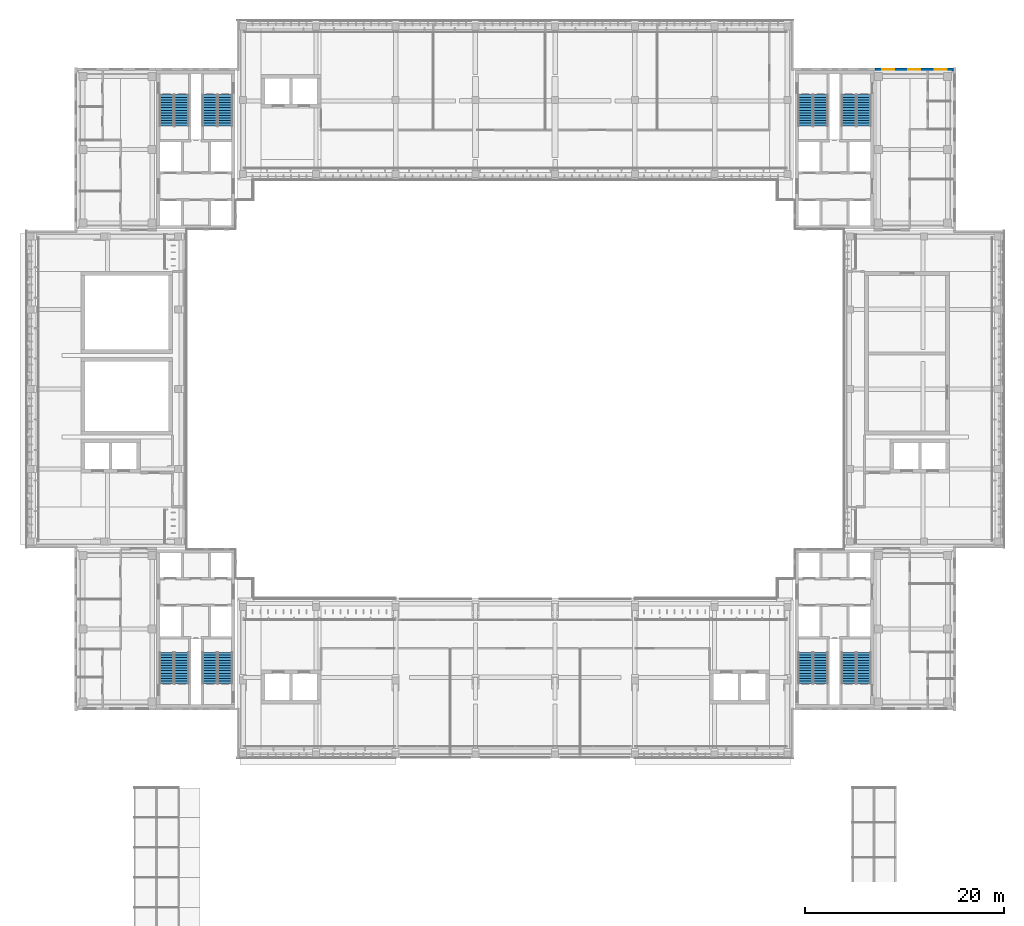
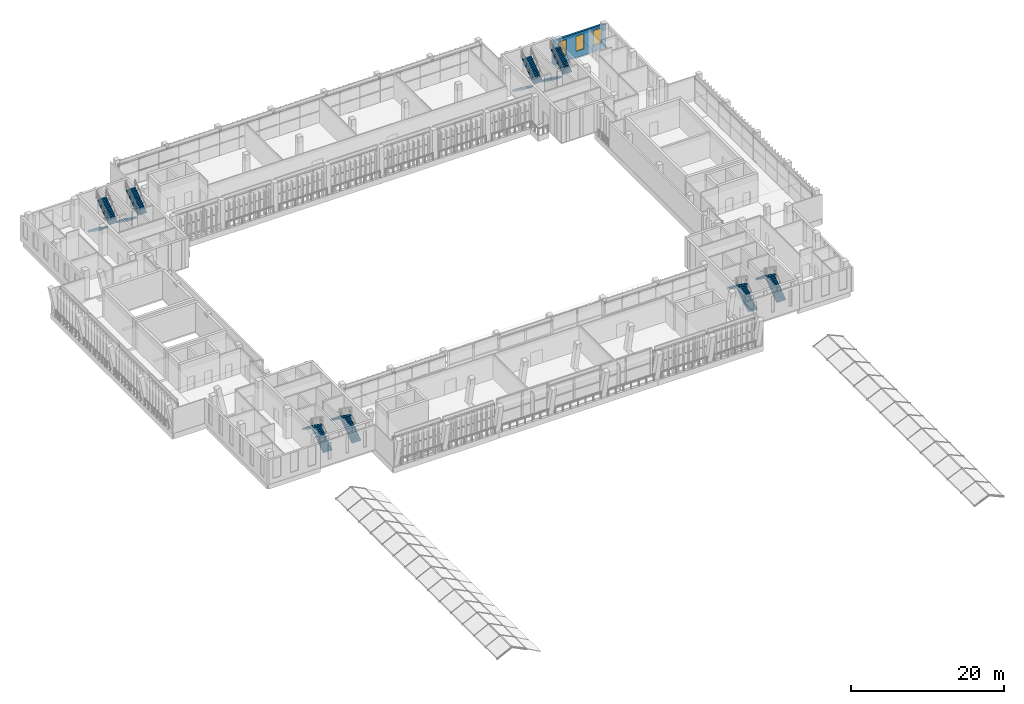
# One storey, part 52 of 73: 16 stair flights, 3 windows, 1 wall, 3 openings, 8 elements without a shape of their own.
"""IFC4 building model written with IfcOpenShell, lengths in metres."""

import ifcopenshell
import ifcopenshell.guid

model = None  # the IFC model being written
_history = None  # IfcOwnerHistory: only IFC2X3 demands one
_inside = {}  # id of a spatial element -> (the spatial element, [elements in it])
_under = {}  # id of a project, library or spatial element -> (it, [spatial elements below it])
_declared = {}  # id of a project -> (the project, [libraries it declares])
_typed = {}  # id of a type object -> (the type object, [elements of that type])
_made_of = {}  # id of a material, layer set ... -> (it, [elements and type objects made of it])


def new_model(schema):
    """Start an empty IFC model of exactly this schema.

    Asked for "IFC4X3", IfcOpenShell would pick the latest addendum, in which some entities
    have other attributes; the version numbers below select the first issue.
    IFC2X3 requires an IfcOwnerHistory on every rooted entity: one is made here for all.
    """
    global model, _history
    if schema == "IFC4X3":
        model = ifcopenshell.file(schema_version=(4, 3, 0, 0))
    else:
        model = ifcopenshell.file(schema=schema)
    _inside.clear()
    _under.clear()
    _declared.clear()
    _typed.clear()
    _made_of.clear()
    _history = None
    if model.schema == "IFC2X3":
        org = make("IfcOrganization", Name="unknown")
        user = make(
            "IfcPersonAndOrganization",
            ThePerson=make("IfcPerson", FamilyName="unknown"),
            TheOrganization=org,
        )
        app = make(
            "IfcApplication",
            ApplicationDeveloper=org,
            Version="unknown",
            ApplicationFullName="unknown",
            ApplicationIdentifier="unknown",
        )
        _history = make(
            "IfcOwnerHistory",
            OwningUser=user,
            OwningApplication=app,
            ChangeAction="ADDED",
            CreationDate=0,
        )
    return model


def make(cls, **values):
    """One entity of the class cls with the attributes given. An attribute that is None is left unset."""
    return model.create_entity(
        cls, **{name: value for name, value in values.items() if value is not None}
    )


def rooted(cls, **values):
    """An entity with a GlobalId (a new one), such as an element, a storey or a relation."""
    return make(cls, GlobalId=ifcopenshell.guid.new(), OwnerHistory=_history, **values)


def si_unit(unit_type, name, prefix=None):
    """IfcSIUnit, for example si_unit("LENGTHUNIT", "METRE", prefix="MILLI")."""
    return make("IfcSIUnit", UnitType=unit_type, Prefix=prefix, Name=name)


def assignment(units):
    """IfcUnitAssignment: the units of a project."""
    return None if units is None else make("IfcUnitAssignment", Units=units)


def point(xyz):
    """IfcCartesianPoint."""
    return None if xyz is None else make("IfcCartesianPoint", Coordinates=xyz)


def direction(xyz):
    """IfcDirection."""
    return None if xyz is None else make("IfcDirection", DirectionRatios=xyz)


def frame(location, z_axis=None, x_axis=None):
    """IfcAxis2Placement3D, a coordinate frame: its origin and axes. An axis left out is left unset."""
    return make(
        "IfcAxis2Placement3D",
        Location=point(location),
        Axis=direction(z_axis),
        RefDirection=direction(x_axis),
    )


def frame_2d(location, x_axis=None):
    """IfcAxis2Placement2D, a coordinate frame in the plane: its origin and x axis."""
    return make(
        "IfcAxis2Placement2D", Location=point(location), RefDirection=direction(x_axis)
    )


def origin():
    """The frame at (0, 0, 0) with its axes left unset."""
    return frame((0.0, 0.0, 0.0))


def place(relative_to, where):
    """IfcLocalPlacement: puts the frame where relative to a parent placement (None: the world)."""
    return make(
        "IfcLocalPlacement", PlacementRelTo=relative_to, RelativePlacement=where
    )


def context(
    kind, dimensions, precision=None, world=None, true_north=None, identifier=None
):
    """IfcGeometricRepresentationContext, for example the 3D "Model" context."""
    return make(
        "IfcGeometricRepresentationContext",
        ContextIdentifier=identifier,
        ContextType=kind,
        CoordinateSpaceDimension=dimensions,
        Precision=precision,
        WorldCoordinateSystem=world,
        TrueNorth=true_north,
    )


def subcontext(parent, identifier, kind, view, scale=None):
    """IfcGeometricRepresentationSubContext, for example "Body" below "Model"."""
    return make(
        "IfcGeometricRepresentationSubContext",
        ContextIdentifier=identifier,
        ContextType=kind,
        ParentContext=parent,
        TargetScale=scale,
        TargetView=view,
    )


def project(units=None, contexts=None):
    """IfcProject with its units and contexts."""
    return rooted(
        "IfcProject",
        Name="project",
        RepresentationContexts=contexts,
        UnitsInContext=assignment(units),
    )


def spatial(cls, under=None, at=None, **own):
    """A site, building, storey or space (cls), placed at a placement, below another one or the project."""
    s = rooted(cls, ObjectPlacement=at, **own)
    if under is not None:
        _under.setdefault(under.id(), (under, []))[1].append(s)
    return s


def polyline(points):
    """IfcPolyline through the points."""
    return make("IfcPolyline", Points=[point(p) for p in points])


def profile(cls, at=None, kind="AREA", **sizes):
    """A parametric profile (cls). Its sizes go by their IFC names, for example OverallWidth=200.0."""
    return make(cls, ProfileType=kind, Position=at, **sizes)


def rectangle(**sizes):
    """IfcRectangleProfileDef."""
    return profile("IfcRectangleProfileDef", **sizes)


def outline(outer, holes=None, kind="AREA"):
    """IfcArbitraryClosedProfileDef: a profile drawn as a closed curve; with holes, ...WithVoids."""
    if holes is None:
        return make("IfcArbitraryClosedProfileDef", ProfileType=kind, OuterCurve=outer)
    return make(
        "IfcArbitraryProfileDefWithVoids",
        ProfileType=kind,
        OuterCurve=outer,
        InnerCurves=holes,
    )


def extrude(swept, where, along, depth):
    """IfcExtrudedAreaSolid: the profile swept, set in the frame where, extruded along a direction by depth."""
    return make(
        "IfcExtrudedAreaSolid",
        SweptArea=swept,
        Position=where,
        ExtrudedDirection=direction(along),
        Depth=depth,
    )


def shape(context_of_items, identifier, shape_type, items):
    """IfcShapeRepresentation: the items that make up one representation, for example the "Body"."""
    return make(
        "IfcShapeRepresentation",
        ContextOfItems=context_of_items,
        RepresentationIdentifier=identifier,
        RepresentationType=shape_type,
        Items=items,
    )


def material(Name=None, Category=None):
    """IfcMaterial."""
    return make("IfcMaterial", Name=Name, Category=Category)


def layer(
    of_material, thickness, ventilated=None, Name=None, Category=None, Priority=None
):
    """IfcMaterialLayer: one layer of a wall or slab, of a material (None: an air gap)."""
    return make(
        "IfcMaterialLayer",
        Material=of_material,
        LayerThickness=thickness,
        IsVentilated=ventilated,
        Name=Name,
        Category=Category,
        Priority=Priority,
    )


def layer_set(layers, Name=None):
    """IfcMaterialLayerSet."""
    return make("IfcMaterialLayerSet", MaterialLayers=layers, LayerSetName=Name)


def made_of(thing, what):
    """Note that an element or type object is made of a material, layer set ...; save() writes the relation."""
    if what is not None:
        _made_of.setdefault(what.id(), (what, []))[1].append(thing)
    return thing


def type_object(cls, material=None, **own):
    """A type object (cls), such as IfcWallType, which elements share."""
    return made_of(rooted(cls, **own), material)


def element(
    cls,
    number,
    at=None,
    inside=None,
    cuts=None,
    type_object=None,
    material=None,
    context=None,
    identifier="Body",
    shape_type=None,
    held_by="IfcProductDefinitionShape",
    body=None,
    shapes=None,
    **own,
):
    """One element of the class cls, such as IfcWall. Its Tag is "e" and its number.

    at: its placement. inside: the storey or other place that contains it. cuts: it is an
    opening in that element (IfcRelVoidsElement). A single representation is given by context,
    identifier, shape_type and body (its items); several are given by shapes. held_by: the class
    of the entity that holds the representations. save() writes the other relations.
    """
    e = rooted(cls, Tag="e%d" % number, ObjectPlacement=at, **own)
    if body is not None:
        shapes = [shape(context, identifier, shape_type, body)]
    if shapes is not None:
        e.Representation = make(held_by, Representations=shapes)
    if inside is not None:
        _inside.setdefault(inside.id(), (inside, []))[1].append(e)
    if cuts is not None:
        rooted(
            "IfcRelVoidsElement", RelatingBuildingElement=cuts, RelatedOpeningElement=e
        )
    if type_object is not None:
        _typed.setdefault(type_object.id(), (type_object, []))[1].append(e)
    return made_of(e, material)


def fill(opening, filler):
    """IfcRelFillsElement: the door or window that sits in an opening."""
    return rooted(
        "IfcRelFillsElement",
        RelatingOpeningElement=opening,
        RelatedBuildingElement=filler,
    )


def aggregate(whole, parts):
    """IfcRelAggregates: a whole, such as a stair, and the parts it consists of."""
    return rooted("IfcRelAggregates", RelatingObject=whole, RelatedObjects=parts)


def save(model, path):
    """Write the relations noted so far, then the file.

    IfcRelAggregates (storeys below a building ...), IfcRelContainedInSpatialStructure (elements
    in a storey), IfcRelDefinesByType, IfcRelAssociatesMaterial and IfcRelDeclares: one each for
    every whole, place, type object, material and project.
    """
    for whole, parts in _under.values():
        aggregate(whole, parts)
    for where, things in _inside.values():
        rooted(
            "IfcRelContainedInSpatialStructure",
            RelatedElements=things,
            RelatingStructure=where,
        )
    for kind, things in _typed.values():
        rooted("IfcRelDefinesByType", RelatedObjects=things, RelatingType=kind)
    for what, things in _made_of.values():
        rooted("IfcRelAssociatesMaterial", RelatedObjects=things, RelatingMaterial=what)
    for by, libraries in _declared.values():
        rooted("IfcRelDeclares", RelatingContext=by, RelatedDefinitions=libraries)
    model.write(path)


model = new_model("IFC4")

# Units and contexts
model_context = context("Model", 3, precision=1e-05, world=origin(), true_north=direction((0.0, 1.0)))
body_context = subcontext(model_context, "Body", "Model", "MODEL_VIEW")
ifc_project = project(units=[si_unit("LENGTHUNIT", "METRE"), si_unit("AREAUNIT", "SQUARE_METRE"), si_unit("VOLUMEUNIT", "CUBIC_METRE"), si_unit("PLANEANGLEUNIT", "RADIAN"), si_unit("MASSUNIT", "GRAM", prefix="KILO")], contexts=[model_context])

# Site, building, storey
site_placement = place(None, origin())
site = spatial("IfcSite", under=ifc_project, at=site_placement, CompositionType="ELEMENT")
building_placement = place(site_placement, origin())
building = spatial("IfcBuilding", under=site, at=building_placement, Name="Lantern Court Media Centre", CompositionType="ELEMENT")
storey_placement = place(building_placement, frame((0.0, 0.0, 24.0)))
storey = spatial("IfcBuildingStorey", under=building, at=storey_placement, Name="L05", CompositionType="ELEMENT", Elevation=24.0)

# Wall, openings, windows
ifc_material_1 = material(Name="Honed limestone cladding on blockwork", Category="masonry")
ifc_layer = layer(ifc_material_1, 0.300048828125)
ifc_layer_set = layer_set([ifc_layer], Name="Honed limestone cladding on blockwork")
wall_type = type_object("IfcWallType", Name="Limestone block wall 300", PredefinedType="SOLIDWALL", material=ifc_layer_set)
wall_placement = place(storey_placement, frame((88.10009765625, 112.070068359375, 0.0), z_axis=(0.0, 0.0, 1.0), x_axis=(1.0, 0.0, 0.0)))
wall = element("IfcWall", 1, at=wall_placement, inside=storey, type_object=wall_type, Name="Limestone wall NE N L05", PredefinedType="SOLIDWALL", context=body_context, shape_type="SweptSolid", body=[
    extrude(rectangle(XDim=7.89990234375, YDim=0.300048828125, at=frame_2d((3.949951171875, 0.0))), origin(), (0.0, 0.0, 1.0), 3.89990234375),
])
opening_1_placement = place(wall_placement, frame((0.716552734375, 0.0, 1.0)))
opening_1 = element("IfcOpeningElement", 2, at=opening_1_placement, cuts=wall, Name="Opening WN-A", PredefinedType="OPENING", context=body_context, shape_type="SweptSolid", body=[
    extrude(rectangle(XDim=1.199951171875, YDim=2.39990234375, at=frame_2d((0.60009765625, 1.199951171875))), frame((0.0, 0.159912109375, 0.0), z_axis=(0.0, -1.0, 0.0), x_axis=(1.0, 0.0, 0.0)), (0.0, 0.0, 1.0), 0.320068359375),
])
opening_2_placement = place(wall_placement, frame((3.35009765625, 0.0, 1.0)))
opening_2 = element("IfcOpeningElement", 3, at=opening_2_placement, cuts=wall, Name="Opening WN-A", PredefinedType="OPENING", context=body_context, shape_type="SweptSolid", body=[
    extrude(rectangle(XDim=1.199951171875, YDim=2.39990234375, at=frame_2d((0.60009765625, 1.199951171875))), frame((0.0, 0.159912109375, 0.0), z_axis=(0.0, -1.0, 0.0), x_axis=(1.0, 0.0, 0.0)), (0.0, 0.0, 1.0), 0.320068359375),
])
opening_3_placement = place(wall_placement, frame((5.9833984375, 0.0, 1.0)))
opening_3 = element("IfcOpeningElement", 4, at=opening_3_placement, cuts=wall, Name="Opening WN-A", PredefinedType="OPENING", context=body_context, shape_type="SweptSolid", body=[
    extrude(rectangle(XDim=1.199951171875, YDim=2.39990234375, at=frame_2d((0.60009765625, 1.199951171875))), frame((0.0, 0.159912109375, 0.0), z_axis=(0.0, -1.0, 0.0), x_axis=(1.0, 0.0, 0.0)), (0.0, 0.0, 1.0), 0.320068359375),
])
ifc_material_2 = material(Name="Anodised aluminium and glass", Category="aluminium")
window_type = type_object("IfcWindowType", Name="Attic window 1200x2400", PartitioningType="SINGLE_PANEL", PredefinedType="WINDOW", material=ifc_material_2)
window_1_placement = place(opening_1_placement, origin())
window_1 = element("IfcWindow", 5, at=window_1_placement, inside=storey, type_object=window_type, Name="Window NE N L05", OverallHeight=2.39990234375, OverallWidth=1.199951171875, PartitioningType="SINGLE_PANEL", PredefinedType="WINDOW", context=body_context, shape_type="SweptSolid", body=[
    extrude(rectangle(XDim=1.199951171875, YDim=2.39990234375, at=frame_2d((0.60009765625, 1.199951171875))), frame((0.0, 0.030029296875, 0.0), z_axis=(0.0, -1.0, 0.0), x_axis=(1.0, 0.0, 0.0)), (0.0, 0.0, 1.0), 0.06005859375),
])
fill(opening_1, window_1)
window_2_placement = place(opening_2_placement, origin())
window_2 = element("IfcWindow", 6, at=window_2_placement, inside=storey, type_object=window_type, Name="Window NE N L05", OverallHeight=2.39990234375, OverallWidth=1.199951171875, PartitioningType="SINGLE_PANEL", PredefinedType="WINDOW", context=body_context, shape_type="SweptSolid", body=[
    extrude(rectangle(XDim=1.199951171875, YDim=2.39990234375, at=frame_2d((0.60009765625, 1.199951171875))), frame((0.0, 0.030029296875, 0.0), z_axis=(0.0, -1.0, 0.0), x_axis=(1.0, 0.0, 0.0)), (0.0, 0.0, 1.0), 0.06005859375),
])
fill(opening_2, window_2)
window_3_placement = place(opening_3_placement, origin())
window_3 = element("IfcWindow", 7, at=window_3_placement, inside=storey, type_object=window_type, Name="Window NE N L05", OverallHeight=2.39990234375, OverallWidth=1.199951171875, PartitioningType="SINGLE_PANEL", PredefinedType="WINDOW", context=body_context, shape_type="SweptSolid", body=[
    extrude(rectangle(XDim=1.199951171875, YDim=2.39990234375, at=frame_2d((0.60009765625, 1.199951171875))), frame((0.0, 0.030029296875, 0.0), z_axis=(0.0, -1.0, 0.0), x_axis=(1.0, 0.0, 0.0)), (0.0, 0.0, 1.0), 0.06005859375),
])
fill(opening_3, window_3)

# Stair, stair flights
ifc_material_3 = material(Name="Concrete C40", Category="concrete")
stair_type = type_object("IfcStairType", Name="Exit stair 1350", PredefinedType="HALF_TURN_STAIR", material=ifc_material_3)
stair_1_placement = place(storey_placement, origin())
stair_1 = element("IfcStair", 8, at=stair_1_placement, inside=storey, type_object=stair_type, Name="L05 SW exit stair A", PredefinedType="HALF_TURN_STAIR")
stair_flight_type = type_object("IfcStairFlightType", Name="Stair flight RC 1350", PredefinedType="STRAIGHT", material=ifc_material_3)
stair_flight_1_placement = place(storey_placement, frame((18.52490234375, 50.449951171875, 0.0), z_axis=(0.0, 0.0, 1.0), x_axis=(0.0, 1.0, 0.0)))
stair_flight_1 = element("IfcStairFlight", 9, at=stair_flight_1_placement, type_object=stair_flight_type, Name="ST-SWA flight 1", NumberOfRisers=13, NumberOfTreads=12, PredefinedType="STRAIGHT", RiserHeight=0.184615385, TreadLength=0.26, context=body_context, shape_type="SweptSolid", body=[
    extrude(outline(polyline([(0.0, 0.0), (0.0, 0.1845703125), (0.260009765625, 0.1845703125), (0.260009765625, 0.369140625), (0.52001953125, 0.369140625), (0.52001953125, 0.553955078125), (0.780029296875, 0.553955078125), (0.780029296875, 0.738525390625), (1.0400390625, 0.738525390625), (1.0400390625, 0.923095703125), (1.300048828125, 0.923095703125), (1.300048828125, 1.107666015625), (1.56005859375, 1.107666015625), (1.56005859375, 1.292236328125), (1.820068359375, 1.292236328125), (1.820068359375, 1.476806640625), (2.080078125, 1.476806640625), (2.080078125, 1.66162109375), (2.340087890625, 1.66162109375), (2.340087890625, 1.84619140625), (2.60009765625, 1.84619140625), (2.60009765625, 2.03076171875), (2.860107421875, 2.03076171875), (2.860107421875, 2.21533203125), (3.1201171875, 2.21533203125), (3.1201171875, 2.39990234375), (3.1201171875, 2.031494140625), (0.259033203125, 0.0), (0.0, 0.0)])), frame((0.0, 0.675048828125, 0.0), z_axis=(0.0, -1.0, 0.0), x_axis=(1.0, 0.0, 0.0)), (0.0, 0.0, 1.0), 1.35009765625),
])
stair_flight_2_placement = place(storey_placement, frame((17.02490234375, 53.570068359375, 2.39990234375), z_axis=(0.0, 0.0, 1.0), x_axis=(0.0, -1.0, 0.0)))
stair_flight_2 = element("IfcStairFlight", 10, at=stair_flight_2_placement, type_object=stair_flight_type, Name="ST-SWA flight 2", NumberOfRisers=13, NumberOfTreads=12, PredefinedType="STRAIGHT", RiserHeight=0.184615385, TreadLength=0.26, context=body_context, shape_type="SweptSolid", body=[
    extrude(outline(polyline([(0.0, 0.0), (0.0, 0.1845703125), (0.260009765625, 0.1845703125), (0.260009765625, 0.369140625), (0.52001953125, 0.369140625), (0.52001953125, 0.553955078125), (0.780029296875, 0.553955078125), (0.780029296875, 0.738525390625), (1.0400390625, 0.738525390625), (1.0400390625, 0.923095703125), (1.300048828125, 0.923095703125), (1.300048828125, 1.107666015625), (1.56005859375, 1.107666015625), (1.56005859375, 1.292236328125), (1.820068359375, 1.292236328125), (1.820068359375, 1.476806640625), (2.080078125, 1.476806640625), (2.080078125, 1.66162109375), (2.340087890625, 1.66162109375), (2.340087890625, 1.84619140625), (2.60009765625, 1.84619140625), (2.60009765625, 2.03076171875), (2.860107421875, 2.03076171875), (2.860107421875, 2.21533203125), (3.1201171875, 2.21533203125), (3.1201171875, 2.39990234375), (3.1201171875, 2.031494140625), (0.259033203125, 0.0), (0.0, 0.0)])), frame((0.0, 0.675048828125, 0.0), z_axis=(0.0, -1.0, 0.0), x_axis=(1.0, 0.0, 0.0)), (0.0, 0.0, 1.0), 1.35009765625),
])
aggregate(stair_1, [stair_flight_1, stair_flight_2])

stair_2_placement = place(storey_placement, origin())
stair_2 = element("IfcStair", 11, at=stair_2_placement, inside=storey, type_object=stair_type, Name="L05 SW exit stair B", PredefinedType="HALF_TURN_STAIR")
stair_flight_3_placement = place(storey_placement, frame((22.875, 50.449951171875, 0.0), z_axis=(0.0, 0.0, 1.0), x_axis=(0.0, 1.0, 0.0)))
stair_flight_3 = element("IfcStairFlight", 12, at=stair_flight_3_placement, type_object=stair_flight_type, Name="ST-SWB flight 1", NumberOfRisers=13, NumberOfTreads=12, PredefinedType="STRAIGHT", RiserHeight=0.184615385, TreadLength=0.26, context=body_context, shape_type="SweptSolid", body=[
    extrude(outline(polyline([(0.0, 0.0), (0.0, 0.1845703125), (0.260009765625, 0.1845703125), (0.260009765625, 0.369140625), (0.52001953125, 0.369140625), (0.52001953125, 0.553955078125), (0.780029296875, 0.553955078125), (0.780029296875, 0.738525390625), (1.0400390625, 0.738525390625), (1.0400390625, 0.923095703125), (1.300048828125, 0.923095703125), (1.300048828125, 1.107666015625), (1.56005859375, 1.107666015625), (1.56005859375, 1.292236328125), (1.820068359375, 1.292236328125), (1.820068359375, 1.476806640625), (2.080078125, 1.476806640625), (2.080078125, 1.66162109375), (2.340087890625, 1.66162109375), (2.340087890625, 1.84619140625), (2.60009765625, 1.84619140625), (2.60009765625, 2.03076171875), (2.860107421875, 2.03076171875), (2.860107421875, 2.21533203125), (3.1201171875, 2.21533203125), (3.1201171875, 2.39990234375), (3.1201171875, 2.031494140625), (0.259033203125, 0.0), (0.0, 0.0)])), frame((0.0, 0.675048828125, 0.0), z_axis=(0.0, -1.0, 0.0), x_axis=(1.0, 0.0, 0.0)), (0.0, 0.0, 1.0), 1.35009765625),
])
stair_flight_4_placement = place(storey_placement, frame((21.375, 53.570068359375, 2.39990234375), z_axis=(0.0, 0.0, 1.0), x_axis=(0.0, -1.0, 0.0)))
stair_flight_4 = element("IfcStairFlight", 13, at=stair_flight_4_placement, type_object=stair_flight_type, Name="ST-SWB flight 2", NumberOfRisers=13, NumberOfTreads=12, PredefinedType="STRAIGHT", RiserHeight=0.184615385, TreadLength=0.26, context=body_context, shape_type="SweptSolid", body=[
    extrude(outline(polyline([(0.0, 0.0), (0.0, 0.1845703125), (0.260009765625, 0.1845703125), (0.260009765625, 0.369140625), (0.52001953125, 0.369140625), (0.52001953125, 0.553955078125), (0.780029296875, 0.553955078125), (0.780029296875, 0.738525390625), (1.0400390625, 0.738525390625), (1.0400390625, 0.923095703125), (1.300048828125, 0.923095703125), (1.300048828125, 1.107666015625), (1.56005859375, 1.107666015625), (1.56005859375, 1.292236328125), (1.820068359375, 1.292236328125), (1.820068359375, 1.476806640625), (2.080078125, 1.476806640625), (2.080078125, 1.66162109375), (2.340087890625, 1.66162109375), (2.340087890625, 1.84619140625), (2.60009765625, 1.84619140625), (2.60009765625, 2.03076171875), (2.860107421875, 2.03076171875), (2.860107421875, 2.21533203125), (3.1201171875, 2.21533203125), (3.1201171875, 2.39990234375), (3.1201171875, 2.031494140625), (0.259033203125, 0.0), (0.0, 0.0)])), frame((0.0, 0.675048828125, 0.0), z_axis=(0.0, -1.0, 0.0), x_axis=(1.0, 0.0, 0.0)), (0.0, 0.0, 1.0), 1.35009765625),
])
aggregate(stair_2, [stair_flight_3, stair_flight_4])

stair_3_placement = place(storey_placement, origin())
stair_3 = element("IfcStair", 14, at=stair_3_placement, inside=storey, type_object=stair_type, Name="L05 SE exit stair A", PredefinedType="HALF_TURN_STAIR")
stair_flight_5_placement = place(storey_placement, frame((86.97509765625, 50.449951171875, 0.0), z_axis=(0.0, 0.0, 1.0), x_axis=(0.0, 1.0, 0.0)))
stair_flight_5 = element("IfcStairFlight", 15, at=stair_flight_5_placement, type_object=stair_flight_type, Name="ST-SEA flight 1", NumberOfRisers=13, NumberOfTreads=12, PredefinedType="STRAIGHT", RiserHeight=0.184615385, TreadLength=0.26, context=body_context, shape_type="SweptSolid", body=[
    extrude(outline(polyline([(0.0, 0.0), (0.0, 0.1845703125), (0.260009765625, 0.1845703125), (0.260009765625, 0.369140625), (0.52001953125, 0.369140625), (0.52001953125, 0.553955078125), (0.780029296875, 0.553955078125), (0.780029296875, 0.738525390625), (1.0400390625, 0.738525390625), (1.0400390625, 0.923095703125), (1.300048828125, 0.923095703125), (1.300048828125, 1.107666015625), (1.56005859375, 1.107666015625), (1.56005859375, 1.292236328125), (1.820068359375, 1.292236328125), (1.820068359375, 1.476806640625), (2.080078125, 1.476806640625), (2.080078125, 1.66162109375), (2.340087890625, 1.66162109375), (2.340087890625, 1.84619140625), (2.60009765625, 1.84619140625), (2.60009765625, 2.03076171875), (2.860107421875, 2.03076171875), (2.860107421875, 2.21533203125), (3.1201171875, 2.21533203125), (3.1201171875, 2.39990234375), (3.1201171875, 2.031494140625), (0.259033203125, 0.0), (0.0, 0.0)])), frame((0.0, 0.675048828125, 0.0), z_axis=(0.0, -1.0, 0.0), x_axis=(1.0, 0.0, 0.0)), (0.0, 0.0, 1.0), 1.35009765625),
])
stair_flight_6_placement = place(storey_placement, frame((85.47509765625, 53.570068359375, 2.39990234375), z_axis=(0.0, 0.0, 1.0), x_axis=(0.0, -1.0, 0.0)))
stair_flight_6 = element("IfcStairFlight", 16, at=stair_flight_6_placement, type_object=stair_flight_type, Name="ST-SEA flight 2", NumberOfRisers=13, NumberOfTreads=12, PredefinedType="STRAIGHT", RiserHeight=0.184615385, TreadLength=0.26, context=body_context, shape_type="SweptSolid", body=[
    extrude(outline(polyline([(0.0, 0.0), (0.0, 0.1845703125), (0.260009765625, 0.1845703125), (0.260009765625, 0.369140625), (0.52001953125, 0.369140625), (0.52001953125, 0.553955078125), (0.780029296875, 0.553955078125), (0.780029296875, 0.738525390625), (1.0400390625, 0.738525390625), (1.0400390625, 0.923095703125), (1.300048828125, 0.923095703125), (1.300048828125, 1.107666015625), (1.56005859375, 1.107666015625), (1.56005859375, 1.292236328125), (1.820068359375, 1.292236328125), (1.820068359375, 1.476806640625), (2.080078125, 1.476806640625), (2.080078125, 1.66162109375), (2.340087890625, 1.66162109375), (2.340087890625, 1.84619140625), (2.60009765625, 1.84619140625), (2.60009765625, 2.03076171875), (2.860107421875, 2.03076171875), (2.860107421875, 2.21533203125), (3.1201171875, 2.21533203125), (3.1201171875, 2.39990234375), (3.1201171875, 2.031494140625), (0.259033203125, 0.0), (0.0, 0.0)])), frame((0.0, 0.675048828125, 0.0), z_axis=(0.0, -1.0, 0.0), x_axis=(1.0, 0.0, 0.0)), (0.0, 0.0, 1.0), 1.35009765625),
])
aggregate(stair_3, [stair_flight_5, stair_flight_6])

stair_4_placement = place(storey_placement, origin())
stair_4 = element("IfcStair", 17, at=stair_4_placement, inside=storey, type_object=stair_type, Name="L05 SE exit stair B", PredefinedType="HALF_TURN_STAIR")
stair_flight_7_placement = place(storey_placement, frame((82.625, 50.449951171875, 0.0), z_axis=(0.0, 0.0, 1.0), x_axis=(0.0, 1.0, 0.0)))
stair_flight_7 = element("IfcStairFlight", 18, at=stair_flight_7_placement, type_object=stair_flight_type, Name="ST-SEB flight 1", NumberOfRisers=13, NumberOfTreads=12, PredefinedType="STRAIGHT", RiserHeight=0.184615385, TreadLength=0.26, context=body_context, shape_type="SweptSolid", body=[
    extrude(outline(polyline([(0.0, 0.0), (0.0, 0.1845703125), (0.260009765625, 0.1845703125), (0.260009765625, 0.369140625), (0.52001953125, 0.369140625), (0.52001953125, 0.553955078125), (0.780029296875, 0.553955078125), (0.780029296875, 0.738525390625), (1.0400390625, 0.738525390625), (1.0400390625, 0.923095703125), (1.300048828125, 0.923095703125), (1.300048828125, 1.107666015625), (1.56005859375, 1.107666015625), (1.56005859375, 1.292236328125), (1.820068359375, 1.292236328125), (1.820068359375, 1.476806640625), (2.080078125, 1.476806640625), (2.080078125, 1.66162109375), (2.340087890625, 1.66162109375), (2.340087890625, 1.84619140625), (2.60009765625, 1.84619140625), (2.60009765625, 2.03076171875), (2.860107421875, 2.03076171875), (2.860107421875, 2.21533203125), (3.1201171875, 2.21533203125), (3.1201171875, 2.39990234375), (3.1201171875, 2.031494140625), (0.259033203125, 0.0), (0.0, 0.0)])), frame((0.0, 0.675048828125, 0.0), z_axis=(0.0, -1.0, 0.0), x_axis=(1.0, 0.0, 0.0)), (0.0, 0.0, 1.0), 1.35009765625),
])
stair_flight_8_placement = place(storey_placement, frame((81.125, 53.570068359375, 2.39990234375), z_axis=(0.0, 0.0, 1.0), x_axis=(0.0, -1.0, 0.0)))
stair_flight_8 = element("IfcStairFlight", 19, at=stair_flight_8_placement, type_object=stair_flight_type, Name="ST-SEB flight 2", NumberOfRisers=13, NumberOfTreads=12, PredefinedType="STRAIGHT", RiserHeight=0.184615385, TreadLength=0.26, context=body_context, shape_type="SweptSolid", body=[
    extrude(outline(polyline([(0.0, 0.0), (0.0, 0.1845703125), (0.260009765625, 0.1845703125), (0.260009765625, 0.369140625), (0.52001953125, 0.369140625), (0.52001953125, 0.553955078125), (0.780029296875, 0.553955078125), (0.780029296875, 0.738525390625), (1.0400390625, 0.738525390625), (1.0400390625, 0.923095703125), (1.300048828125, 0.923095703125), (1.300048828125, 1.107666015625), (1.56005859375, 1.107666015625), (1.56005859375, 1.292236328125), (1.820068359375, 1.292236328125), (1.820068359375, 1.476806640625), (2.080078125, 1.476806640625), (2.080078125, 1.66162109375), (2.340087890625, 1.66162109375), (2.340087890625, 1.84619140625), (2.60009765625, 1.84619140625), (2.60009765625, 2.03076171875), (2.860107421875, 2.03076171875), (2.860107421875, 2.21533203125), (3.1201171875, 2.21533203125), (3.1201171875, 2.39990234375), (3.1201171875, 2.031494140625), (0.259033203125, 0.0), (0.0, 0.0)])), frame((0.0, 0.675048828125, 0.0), z_axis=(0.0, -1.0, 0.0), x_axis=(1.0, 0.0, 0.0)), (0.0, 0.0, 1.0), 1.35009765625),
])
aggregate(stair_4, [stair_flight_7, stair_flight_8])

stair_5_placement = place(storey_placement, origin())
stair_5 = element("IfcStair", 20, at=stair_5_placement, inside=storey, type_object=stair_type, Name="L05 NW exit stair A", PredefinedType="HALF_TURN_STAIR")
stair_flight_9_placement = place(storey_placement, frame((17.02490234375, 109.550048828125, 0.0), z_axis=(0.0, 0.0, 1.0), x_axis=(0.0, -1.0, 0.0)))
stair_flight_9 = element("IfcStairFlight", 21, at=stair_flight_9_placement, type_object=stair_flight_type, Name="ST-NWA flight 1", NumberOfRisers=13, NumberOfTreads=12, PredefinedType="STRAIGHT", RiserHeight=0.184615385, TreadLength=0.26, context=body_context, shape_type="SweptSolid", body=[
    extrude(outline(polyline([(0.0, 0.0), (0.0, 0.1845703125), (0.260009765625, 0.1845703125), (0.260009765625, 0.369140625), (0.52001953125, 0.369140625), (0.52001953125, 0.553955078125), (0.780029296875, 0.553955078125), (0.780029296875, 0.738525390625), (1.0400390625, 0.738525390625), (1.0400390625, 0.923095703125), (1.300048828125, 0.923095703125), (1.300048828125, 1.107666015625), (1.56005859375, 1.107666015625), (1.56005859375, 1.292236328125), (1.820068359375, 1.292236328125), (1.820068359375, 1.476806640625), (2.080078125, 1.476806640625), (2.080078125, 1.66162109375), (2.340087890625, 1.66162109375), (2.340087890625, 1.84619140625), (2.60009765625, 1.84619140625), (2.60009765625, 2.03076171875), (2.860107421875, 2.03076171875), (2.860107421875, 2.21533203125), (3.1201171875, 2.21533203125), (3.1201171875, 2.39990234375), (3.1201171875, 2.031494140625), (0.259033203125, 0.0), (0.0, 0.0)])), frame((0.0, 0.675048828125, 0.0), z_axis=(0.0, -1.0, 0.0), x_axis=(1.0, 0.0, 0.0)), (0.0, 0.0, 1.0), 1.35009765625),
])
stair_flight_10_placement = place(storey_placement, frame((18.52490234375, 106.429931640625, 2.39990234375), z_axis=(0.0, 0.0, 1.0), x_axis=(0.0, 1.0, 0.0)))
stair_flight_10 = element("IfcStairFlight", 22, at=stair_flight_10_placement, type_object=stair_flight_type, Name="ST-NWA flight 2", NumberOfRisers=13, NumberOfTreads=12, PredefinedType="STRAIGHT", RiserHeight=0.184615385, TreadLength=0.26, context=body_context, shape_type="SweptSolid", body=[
    extrude(outline(polyline([(0.0, 0.0), (0.0, 0.1845703125), (0.260009765625, 0.1845703125), (0.260009765625, 0.369140625), (0.52001953125, 0.369140625), (0.52001953125, 0.553955078125), (0.780029296875, 0.553955078125), (0.780029296875, 0.738525390625), (1.0400390625, 0.738525390625), (1.0400390625, 0.923095703125), (1.300048828125, 0.923095703125), (1.300048828125, 1.107666015625), (1.56005859375, 1.107666015625), (1.56005859375, 1.292236328125), (1.820068359375, 1.292236328125), (1.820068359375, 1.476806640625), (2.080078125, 1.476806640625), (2.080078125, 1.66162109375), (2.340087890625, 1.66162109375), (2.340087890625, 1.84619140625), (2.60009765625, 1.84619140625), (2.60009765625, 2.03076171875), (2.860107421875, 2.03076171875), (2.860107421875, 2.21533203125), (3.1201171875, 2.21533203125), (3.1201171875, 2.39990234375), (3.1201171875, 2.031494140625), (0.259033203125, 0.0), (0.0, 0.0)])), frame((0.0, 0.675048828125, 0.0), z_axis=(0.0, -1.0, 0.0), x_axis=(1.0, 0.0, 0.0)), (0.0, 0.0, 1.0), 1.35009765625),
])
aggregate(stair_5, [stair_flight_9, stair_flight_10])

stair_6_placement = place(storey_placement, origin())
stair_6 = element("IfcStair", 23, at=stair_6_placement, inside=storey, type_object=stair_type, Name="L05 NW exit stair B", PredefinedType="HALF_TURN_STAIR")
stair_flight_11_placement = place(storey_placement, frame((21.375, 109.550048828125, 0.0), z_axis=(0.0, 0.0, 1.0), x_axis=(0.0, -1.0, 0.0)))
stair_flight_11 = element("IfcStairFlight", 24, at=stair_flight_11_placement, type_object=stair_flight_type, Name="ST-NWB flight 1", NumberOfRisers=13, NumberOfTreads=12, PredefinedType="STRAIGHT", RiserHeight=0.184615385, TreadLength=0.26, context=body_context, shape_type="SweptSolid", body=[
    extrude(outline(polyline([(0.0, 0.0), (0.0, 0.1845703125), (0.260009765625, 0.1845703125), (0.260009765625, 0.369140625), (0.52001953125, 0.369140625), (0.52001953125, 0.553955078125), (0.780029296875, 0.553955078125), (0.780029296875, 0.738525390625), (1.0400390625, 0.738525390625), (1.0400390625, 0.923095703125), (1.300048828125, 0.923095703125), (1.300048828125, 1.107666015625), (1.56005859375, 1.107666015625), (1.56005859375, 1.292236328125), (1.820068359375, 1.292236328125), (1.820068359375, 1.476806640625), (2.080078125, 1.476806640625), (2.080078125, 1.66162109375), (2.340087890625, 1.66162109375), (2.340087890625, 1.84619140625), (2.60009765625, 1.84619140625), (2.60009765625, 2.03076171875), (2.860107421875, 2.03076171875), (2.860107421875, 2.21533203125), (3.1201171875, 2.21533203125), (3.1201171875, 2.39990234375), (3.1201171875, 2.031494140625), (0.259033203125, 0.0), (0.0, 0.0)])), frame((0.0, 0.675048828125, 0.0), z_axis=(0.0, -1.0, 0.0), x_axis=(1.0, 0.0, 0.0)), (0.0, 0.0, 1.0), 1.35009765625),
])
stair_flight_12_placement = place(storey_placement, frame((22.875, 106.429931640625, 2.39990234375), z_axis=(0.0, 0.0, 1.0), x_axis=(0.0, 1.0, 0.0)))
stair_flight_12 = element("IfcStairFlight", 25, at=stair_flight_12_placement, type_object=stair_flight_type, Name="ST-NWB flight 2", NumberOfRisers=13, NumberOfTreads=12, PredefinedType="STRAIGHT", RiserHeight=0.184615385, TreadLength=0.26, context=body_context, shape_type="SweptSolid", body=[
    extrude(outline(polyline([(0.0, 0.0), (0.0, 0.1845703125), (0.260009765625, 0.1845703125), (0.260009765625, 0.369140625), (0.52001953125, 0.369140625), (0.52001953125, 0.553955078125), (0.780029296875, 0.553955078125), (0.780029296875, 0.738525390625), (1.0400390625, 0.738525390625), (1.0400390625, 0.923095703125), (1.300048828125, 0.923095703125), (1.300048828125, 1.107666015625), (1.56005859375, 1.107666015625), (1.56005859375, 1.292236328125), (1.820068359375, 1.292236328125), (1.820068359375, 1.476806640625), (2.080078125, 1.476806640625), (2.080078125, 1.66162109375), (2.340087890625, 1.66162109375), (2.340087890625, 1.84619140625), (2.60009765625, 1.84619140625), (2.60009765625, 2.03076171875), (2.860107421875, 2.03076171875), (2.860107421875, 2.21533203125), (3.1201171875, 2.21533203125), (3.1201171875, 2.39990234375), (3.1201171875, 2.031494140625), (0.259033203125, 0.0), (0.0, 0.0)])), frame((0.0, 0.675048828125, 0.0), z_axis=(0.0, -1.0, 0.0), x_axis=(1.0, 0.0, 0.0)), (0.0, 0.0, 1.0), 1.35009765625),
])
aggregate(stair_6, [stair_flight_11, stair_flight_12])

stair_7_placement = place(storey_placement, origin())
stair_7 = element("IfcStair", 26, at=stair_7_placement, inside=storey, type_object=stair_type, Name="L05 NE exit stair A", PredefinedType="HALF_TURN_STAIR")
stair_flight_13_placement = place(storey_placement, frame((85.47509765625, 109.550048828125, 0.0), z_axis=(0.0, 0.0, 1.0), x_axis=(0.0, -1.0, 0.0)))
stair_flight_13 = element("IfcStairFlight", 27, at=stair_flight_13_placement, type_object=stair_flight_type, Name="ST-NEA flight 1", NumberOfRisers=13, NumberOfTreads=12, PredefinedType="STRAIGHT", RiserHeight=0.184615385, TreadLength=0.26, context=body_context, shape_type="SweptSolid", body=[
    extrude(outline(polyline([(0.0, 0.0), (0.0, 0.1845703125), (0.260009765625, 0.1845703125), (0.260009765625, 0.369140625), (0.52001953125, 0.369140625), (0.52001953125, 0.553955078125), (0.780029296875, 0.553955078125), (0.780029296875, 0.738525390625), (1.0400390625, 0.738525390625), (1.0400390625, 0.923095703125), (1.300048828125, 0.923095703125), (1.300048828125, 1.107666015625), (1.56005859375, 1.107666015625), (1.56005859375, 1.292236328125), (1.820068359375, 1.292236328125), (1.820068359375, 1.476806640625), (2.080078125, 1.476806640625), (2.080078125, 1.66162109375), (2.340087890625, 1.66162109375), (2.340087890625, 1.84619140625), (2.60009765625, 1.84619140625), (2.60009765625, 2.03076171875), (2.860107421875, 2.03076171875), (2.860107421875, 2.21533203125), (3.1201171875, 2.21533203125), (3.1201171875, 2.39990234375), (3.1201171875, 2.031494140625), (0.259033203125, 0.0), (0.0, 0.0)])), frame((0.0, 0.675048828125, 0.0), z_axis=(0.0, -1.0, 0.0), x_axis=(1.0, 0.0, 0.0)), (0.0, 0.0, 1.0), 1.35009765625),
])
stair_flight_14_placement = place(storey_placement, frame((86.97509765625, 106.429931640625, 2.39990234375), z_axis=(0.0, 0.0, 1.0), x_axis=(0.0, 1.0, 0.0)))
stair_flight_14 = element("IfcStairFlight", 28, at=stair_flight_14_placement, type_object=stair_flight_type, Name="ST-NEA flight 2", NumberOfRisers=13, NumberOfTreads=12, PredefinedType="STRAIGHT", RiserHeight=0.184615385, TreadLength=0.26, context=body_context, shape_type="SweptSolid", body=[
    extrude(outline(polyline([(0.0, 0.0), (0.0, 0.1845703125), (0.260009765625, 0.1845703125), (0.260009765625, 0.369140625), (0.52001953125, 0.369140625), (0.52001953125, 0.553955078125), (0.780029296875, 0.553955078125), (0.780029296875, 0.738525390625), (1.0400390625, 0.738525390625), (1.0400390625, 0.923095703125), (1.300048828125, 0.923095703125), (1.300048828125, 1.107666015625), (1.56005859375, 1.107666015625), (1.56005859375, 1.292236328125), (1.820068359375, 1.292236328125), (1.820068359375, 1.476806640625), (2.080078125, 1.476806640625), (2.080078125, 1.66162109375), (2.340087890625, 1.66162109375), (2.340087890625, 1.84619140625), (2.60009765625, 1.84619140625), (2.60009765625, 2.03076171875), (2.860107421875, 2.03076171875), (2.860107421875, 2.21533203125), (3.1201171875, 2.21533203125), (3.1201171875, 2.39990234375), (3.1201171875, 2.031494140625), (0.259033203125, 0.0), (0.0, 0.0)])), frame((0.0, 0.675048828125, 0.0), z_axis=(0.0, -1.0, 0.0), x_axis=(1.0, 0.0, 0.0)), (0.0, 0.0, 1.0), 1.35009765625),
])
aggregate(stair_7, [stair_flight_13, stair_flight_14])

stair_8_placement = place(storey_placement, origin())
stair_8 = element("IfcStair", 29, at=stair_8_placement, inside=storey, type_object=stair_type, Name="L05 NE exit stair B", PredefinedType="HALF_TURN_STAIR")
stair_flight_15_placement = place(storey_placement, frame((81.125, 109.550048828125, 0.0), z_axis=(0.0, 0.0, 1.0), x_axis=(0.0, -1.0, 0.0)))
stair_flight_15 = element("IfcStairFlight", 30, at=stair_flight_15_placement, type_object=stair_flight_type, Name="ST-NEB flight 1", NumberOfRisers=13, NumberOfTreads=12, PredefinedType="STRAIGHT", RiserHeight=0.184615385, TreadLength=0.26, context=body_context, shape_type="SweptSolid", body=[
    extrude(outline(polyline([(0.0, 0.0), (0.0, 0.1845703125), (0.260009765625, 0.1845703125), (0.260009765625, 0.369140625), (0.52001953125, 0.369140625), (0.52001953125, 0.553955078125), (0.780029296875, 0.553955078125), (0.780029296875, 0.738525390625), (1.0400390625, 0.738525390625), (1.0400390625, 0.923095703125), (1.300048828125, 0.923095703125), (1.300048828125, 1.107666015625), (1.56005859375, 1.107666015625), (1.56005859375, 1.292236328125), (1.820068359375, 1.292236328125), (1.820068359375, 1.476806640625), (2.080078125, 1.476806640625), (2.080078125, 1.66162109375), (2.340087890625, 1.66162109375), (2.340087890625, 1.84619140625), (2.60009765625, 1.84619140625), (2.60009765625, 2.03076171875), (2.860107421875, 2.03076171875), (2.860107421875, 2.21533203125), (3.1201171875, 2.21533203125), (3.1201171875, 2.39990234375), (3.1201171875, 2.031494140625), (0.259033203125, 0.0), (0.0, 0.0)])), frame((0.0, 0.675048828125, 0.0), z_axis=(0.0, -1.0, 0.0), x_axis=(1.0, 0.0, 0.0)), (0.0, 0.0, 1.0), 1.35009765625),
])
stair_flight_16_placement = place(storey_placement, frame((82.625, 106.429931640625, 2.39990234375), z_axis=(0.0, 0.0, 1.0), x_axis=(0.0, 1.0, 0.0)))
stair_flight_16 = element("IfcStairFlight", 31, at=stair_flight_16_placement, type_object=stair_flight_type, Name="ST-NEB flight 2", NumberOfRisers=13, NumberOfTreads=12, PredefinedType="STRAIGHT", RiserHeight=0.184615385, TreadLength=0.26, context=body_context, shape_type="SweptSolid", body=[
    extrude(outline(polyline([(0.0, 0.0), (0.0, 0.1845703125), (0.260009765625, 0.1845703125), (0.260009765625, 0.369140625), (0.52001953125, 0.369140625), (0.52001953125, 0.553955078125), (0.780029296875, 0.553955078125), (0.780029296875, 0.738525390625), (1.0400390625, 0.738525390625), (1.0400390625, 0.923095703125), (1.300048828125, 0.923095703125), (1.300048828125, 1.107666015625), (1.56005859375, 1.107666015625), (1.56005859375, 1.292236328125), (1.820068359375, 1.292236328125), (1.820068359375, 1.476806640625), (2.080078125, 1.476806640625), (2.080078125, 1.66162109375), (2.340087890625, 1.66162109375), (2.340087890625, 1.84619140625), (2.60009765625, 1.84619140625), (2.60009765625, 2.03076171875), (2.860107421875, 2.03076171875), (2.860107421875, 2.21533203125), (3.1201171875, 2.21533203125), (3.1201171875, 2.39990234375), (3.1201171875, 2.031494140625), (0.259033203125, 0.0), (0.0, 0.0)])), frame((0.0, 0.675048828125, 0.0), z_axis=(0.0, -1.0, 0.0), x_axis=(1.0, 0.0, 0.0)), (0.0, 0.0, 1.0), 1.35009765625),
])
aggregate(stair_8, [stair_flight_15, stair_flight_16])

save(model, "model.ifc")
